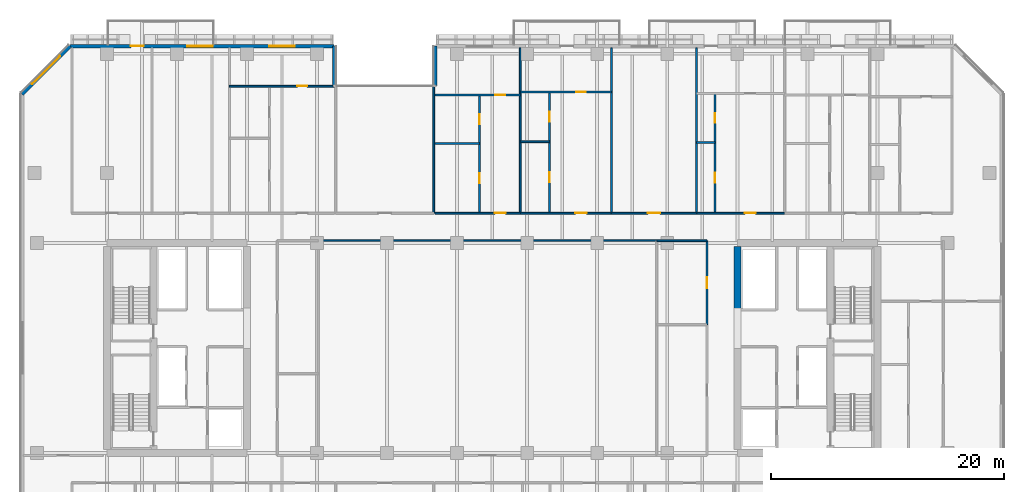
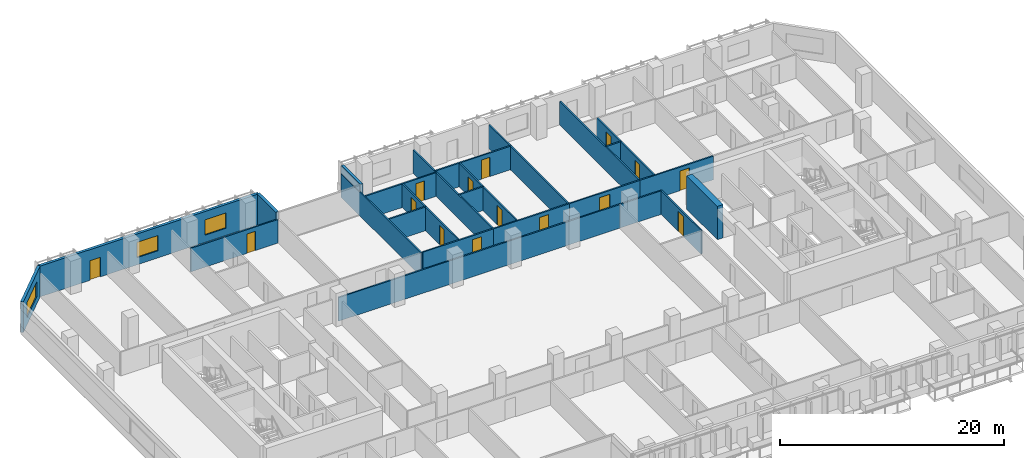
# One storey, part 13 of 25: 25 walls, 15 doors, 3 windows, 18 openings.
"""IFC4 building model written with IfcOpenShell, lengths in metres."""

from ifc_helpers import new_model, si_unit, direction, frame, frame_2d, origin, place, context, subcontext, project, spatial, rectangle, extrude, material, layer, layer_set, type_object, element, fill, save


model = new_model("IFC4")

# Units and contexts
model_context = context("Model", 3, precision=1e-05, world=origin(), true_north=direction((0.0, 1.0)))
body_context = subcontext(model_context, "Body", "Model", "MODEL_VIEW")
ifc_project = project(units=[si_unit("LENGTHUNIT", "METRE"), si_unit("AREAUNIT", "SQUARE_METRE"), si_unit("VOLUMEUNIT", "CUBIC_METRE"), si_unit("PLANEANGLEUNIT", "RADIAN"), si_unit("MASSUNIT", "GRAM", prefix="KILO")], contexts=[model_context])

# Site, building, storey
site_placement = place(None, origin())
site = spatial("IfcSite", under=ifc_project, at=site_placement, CompositionType="ELEMENT")
building_placement = place(site_placement, origin())
building = spatial("IfcBuilding", under=site, at=building_placement, Name="Tanjung Sevakor Pilgrim Tower", CompositionType="ELEMENT")
storey_placement = place(building_placement, frame((0.0, 0.0, 69.6298828125)))
storey = spatial("IfcBuildingStorey", under=building, at=storey_placement, Name="L19", CompositionType="ELEMENT", Elevation=69.6298828125)

# Walls
ifc_material_1 = material(Name="Concrete C60/75", Category="concrete")
ifc_layer_1 = layer(ifc_material_1, 0.60009765625)
ifc_layer_set_1 = layer_set([ifc_layer_1], Name="WALL-CW-600")
wall_type_1 = type_object("IfcWallType", Name="WALL-CW-600", PredefinedType="SHEAR", material=ifc_layer_set_1)
wall_1_placement = place(storey_placement, frame((78.0, 36.800048828125, 0.0), z_axis=(0.0, 0.0, 1.0), x_axis=(0.0, 1.0, 0.0)))
element("IfcWall", 1, at=wall_1_placement, inside=storey, type_object=wall_type_1, Name="L19 E Core Inner Shear Wall North", PredefinedType="SHEAR", context=body_context, shape_type="SweptSolid", body=[
    extrude(rectangle(XDim=5.5, YDim=0.60009765625, at=frame_2d((2.75, 0.0))), origin(), (0.0, 0.0, 1.0), 3.630126953125),
])
ifc_material_2 = material(Name="Concrete C40/50", Category="concrete")
ifc_layer_2 = layer(ifc_material_2, 0.14990234375)
ifc_layer_set_2 = layer_set([ifc_layer_2], Name="WT-COMP-150")
wall_type_2 = type_object("IfcWallType", Name="WT-COMP-150", PredefinedType="SOLIDWALL", material=ifc_layer_set_2)
wall_2_placement = place(storey_placement, frame((42.10009765625, 42.800048828125, 0.0), z_axis=(0.0, 0.0, 1.0), x_axis=(1.0, 0.0, 0.0)))
element("IfcWall", 2, at=wall_2_placement, inside=storey, type_object=wall_type_2, Name="L19 Partition IW-L19-027", PredefinedType="SOLIDWALL", context=body_context, shape_type="SweptSolid", body=[
    extrude(rectangle(XDim=29.0, YDim=0.14990234375, at=frame_2d((14.5, 0.0))), origin(), (0.0, 0.0, 1.0), 2.565185546875),
])
wall_3_placement = place(storey_placement, frame((71.10009765625, 42.800048828125, 0.0), z_axis=(0.0, 0.0, 1.0), x_axis=(1.0, 0.0, 0.0)))
element("IfcWall", 3, at=wall_3_placement, inside=storey, type_object=wall_type_2, Name="L19 Partition IW-L19-033", PredefinedType="SOLIDWALL", context=body_context, shape_type="SweptSolid", body=[
    extrude(rectangle(XDim=4.2998046875, YDim=0.14990234375, at=frame_2d((2.14990234375, 0.0))), origin(), (0.0, 0.0, 1.0), 2.565185546875),
])

# Wall, opening, door
wall_4_placement = place(storey_placement, frame((75.39990234375, 35.60009765625, 0.0), z_axis=(0.0, 0.0, 1.0), x_axis=(0.0, 1.0, 0.0)))
wall_4 = element("IfcWall", 4, at=wall_4_placement, inside=storey, type_object=wall_type_2, Name="L19 Partition IW-L19-034", PredefinedType="SOLIDWALL", context=body_context, shape_type="SweptSolid", body=[
    extrude(rectangle(XDim=7.199951171875, YDim=0.14990234375, at=frame_2d((3.60009765625, 0.0))), origin(), (0.0, 0.0, 1.0), 2.570068359375),
])
opening_1_placement = place(wall_4_placement, frame((3.125, 0.0, 0.0)))
opening_1 = element("IfcOpeningElement", 5, at=opening_1_placement, cuts=wall_4, Name="Opening ID-RM1", PredefinedType="OPENING", context=body_context, shape_type="SweptSolid", body=[
    extrude(rectangle(XDim=0.949951171875, YDim=2.14990234375, at=frame_2d((0.47509765625, 1.074951171875))), frame((0.0, 0.0849609375, 0.0), z_axis=(0.0, -1.0, 0.0), x_axis=(1.0, 0.0, 0.0)), (0.0, 0.0, 1.0), 0.169921875),
])
ifc_material_3 = material(Name="Hardwood Timber", Category="wood")
door_type_1 = type_object("IfcDoorType", Name="DT-INT-950", OperationType="NOTDEFINED", PredefinedType="DOOR", material=ifc_material_3)
door_1_placement = place(opening_1_placement, origin())
door_1 = element("IfcDoor", 6, at=door_1_placement, inside=storey, type_object=door_type_1, Name="L19 Female Washroom Door", OperationType="SINGLE_SWING_RIGHT", OverallHeight=2.14990234375, OverallWidth=0.949951171875, PredefinedType="DOOR", context=body_context, shape_type="SweptSolid", body=[
    extrude(rectangle(XDim=0.949951171875, YDim=2.14990234375, at=frame_2d((0.47509765625, 1.074951171875))), frame((0.0, 0.02490234375, 0.0), z_axis=(0.0, -1.0, 0.0), x_axis=(1.0, 0.0, 0.0)), (0.0, 0.0, 1.0), 0.050048828125),
])
fill(opening_1, door_1)

# Walls
for number, where, z_axis, x_axis, name in (
    (7, (52.0, 45.14990234375, 0.0), (0.0, 0.0, 1.0), (0.0, 1.0, 0.0), "L19 Partition IW-L19-047"),
    (8, (59.416015625, 45.14990234375, 0.0), (0.0, 0.0, 1.0), (0.0, 1.0, 0.0), "L19 Partition IW-L19-088"),
):
    element("IfcWall", number, at=place(storey_placement, frame(where, z_axis=z_axis, x_axis=x_axis)), inside=storey, type_object=wall_type_2, Name=name, PredefinedType="SOLIDWALL", context=body_context, shape_type="SweptSolid", body=[
        extrude(rectangle(XDim=14.170166015625, YDim=0.14990234375, at=frame_2d((7.0849609375, 0.0))), origin(), (0.0, 0.0, 1.0), 2.570068359375),
    ])

# Wall, opening, door
wall_5_placement = place(storey_placement, frame((52.1201171875, 45.14990234375, 0.0), z_axis=(0.0, 0.0, 1.0), x_axis=(1.0, 0.0, 0.0)))
wall_5 = element("IfcWall", 9, at=wall_5_placement, inside=storey, type_object=wall_type_2, Name="L19 Partition IW-L19-092", PredefinedType="SOLIDWALL", context=body_context, shape_type="SweptSolid", body=[
    extrude(rectangle(XDim=7.2958984375, YDim=0.14990234375, at=frame_2d((3.64794921875, 0.0))), origin(), (0.0, 0.0, 1.0), 2.570068359375),
])
opening_2_placement = place(wall_5_placement, frame((5.113037109375, 0.0, 0.0)))
opening_2 = element("IfcOpeningElement", 10, at=opening_2_placement, cuts=wall_5, Name="Opening ID-FD2", PredefinedType="OPENING", context=body_context, shape_type="SweptSolid", body=[
    extrude(rectangle(XDim=0.949951171875, YDim=2.14990234375, at=frame_2d((0.47509765625, 1.074951171875))), frame((0.0, 0.0849609375, 0.0), z_axis=(0.0, -1.0, 0.0), x_axis=(1.0, 0.0, 0.0)), (0.0, 0.0, 1.0), 0.169921875),
])
ifc_material_4 = material(Name="Fire-Rated Timber", Category="wood")
door_type_2 = type_object("IfcDoorType", Name="DT-FIRE-950", OperationType="NOTDEFINED", PredefinedType="DOOR", material=ifc_material_4)
door_2_placement = place(opening_2_placement, origin())
door_2 = element("IfcDoor", 11, at=door_2_placement, inside=storey, type_object=door_type_2, Name="Residence Entrance", OperationType="SINGLE_SWING_RIGHT", OverallHeight=2.14990234375, OverallWidth=0.949951171875, PredefinedType="DOOR", context=body_context, shape_type="SweptSolid", body=[
    extrude(rectangle(XDim=0.949951171875, YDim=2.14990234375, at=frame_2d((0.47509765625, 1.074951171875))), frame((0.0, 0.02490234375, 0.0), z_axis=(0.0, -1.0, 0.0), x_axis=(1.0, 0.0, 0.0)), (0.0, 0.0, 1.0), 0.050048828125),
])
fill(opening_2, door_2)

# Wall
wall_6_placement = place(storey_placement, frame((67.21533203125, 45.14990234375, 0.0), z_axis=(0.0, 0.0, 1.0), x_axis=(0.0, 1.0, 0.0)))
element("IfcWall", 12, at=wall_6_placement, inside=storey, type_object=wall_type_2, Name="L19 Partition IW-L19-093", PredefinedType="SOLIDWALL", context=body_context, shape_type="SweptSolid", body=[
    extrude(rectangle(XDim=14.170166015625, YDim=0.14990234375, at=frame_2d((7.0849609375, 0.0))), origin(), (0.0, 0.0, 1.0), 2.570068359375),
])

# Wall, opening, door
wall_7_placement = place(storey_placement, frame((59.416015625, 45.14990234375, 0.0), z_axis=(0.0, 0.0, 1.0), x_axis=(1.0, 0.0, 0.0)))
wall_7 = element("IfcWall", 13, at=wall_7_placement, inside=storey, type_object=wall_type_2, Name="L19 Partition IW-L19-097", PredefinedType="SOLIDWALL", context=body_context, shape_type="SweptSolid", body=[
    extrude(rectangle(XDim=7.79931640625, YDim=0.14990234375, at=frame_2d((3.899658203125, 0.0))), origin(), (0.0, 0.0, 1.0), 2.570068359375),
])
opening_3_placement = place(wall_7_placement, frame((4.716552734375, 0.0, 0.0)))
opening_3 = element("IfcOpeningElement", 14, at=opening_3_placement, cuts=wall_7, Name="Opening ID-FD2", PredefinedType="OPENING", context=body_context, shape_type="SweptSolid", body=[
    extrude(rectangle(XDim=0.949951171875, YDim=2.14990234375, at=frame_2d((0.47509765625, 1.074951171875))), frame((0.0, 0.0849609375, 0.0), z_axis=(0.0, -1.0, 0.0), x_axis=(1.0, 0.0, 0.0)), (0.0, 0.0, 1.0), 0.169921875),
])
door_3_placement = place(opening_3_placement, origin())
door_3 = element("IfcDoor", 15, at=door_3_placement, inside=storey, type_object=door_type_2, Name="Residence Entrance", OperationType="SINGLE_SWING_RIGHT", OverallHeight=2.14990234375, OverallWidth=0.949951171875, PredefinedType="DOOR", context=body_context, shape_type="SweptSolid", body=[
    extrude(rectangle(XDim=0.949951171875, YDim=2.14990234375, at=frame_2d((0.47509765625, 1.074951171875))), frame((0.0, 0.02490234375, 0.0), z_axis=(0.0, -1.0, 0.0), x_axis=(1.0, 0.0, 0.0)), (0.0, 0.0, 1.0), 0.050048828125),
])
fill(opening_3, door_3)

# Wall
wall_8_placement = place(storey_placement, frame((74.511474609375, 45.14990234375, 0.0), z_axis=(0.0, 0.0, 1.0), x_axis=(0.0, 1.0, 0.0)))
element("IfcWall", 16, at=wall_8_placement, inside=storey, type_object=wall_type_2, Name="L19 Partition IW-L19-098", PredefinedType="SOLIDWALL", context=body_context, shape_type="SweptSolid", body=[
    extrude(rectangle(XDim=14.170166015625, YDim=0.14990234375, at=frame_2d((7.0849609375, 0.0))), origin(), (0.0, 0.0, 1.0), 2.570068359375),
])

# Wall, opening, door
wall_9_placement = place(storey_placement, frame((67.21533203125, 45.14990234375, 0.0), z_axis=(0.0, 0.0, 1.0), x_axis=(1.0, 0.0, 0.0)))
wall_9 = element("IfcWall", 17, at=wall_9_placement, inside=storey, type_object=wall_type_2, Name="L19 Partition IW-L19-099", PredefinedType="SOLIDWALL", context=body_context, shape_type="SweptSolid", body=[
    extrude(rectangle(XDim=7.296142578125, YDim=0.14990234375, at=frame_2d((3.64794921875, 0.0))), origin(), (0.0, 0.0, 1.0), 2.570068359375),
])
opening_4_placement = place(wall_9_placement, frame((3.097900390625, 0.0, 0.0)))
opening_4 = element("IfcOpeningElement", 18, at=opening_4_placement, cuts=wall_9, Name="Opening ID-FD0", PredefinedType="OPENING", context=body_context, shape_type="SweptSolid", body=[
    extrude(rectangle(XDim=1.10009765625, YDim=2.14990234375, at=frame_2d((0.550048828125, 1.074951171875))), frame((0.0, 0.0849609375, 0.0), z_axis=(0.0, -1.0, 0.0), x_axis=(1.0, 0.0, 0.0)), (0.0, 0.0, 1.0), 0.169921875),
])
ifc_material_5 = material(Name="Fire-Rated Steel S355J2", Category="steel")
door_type_3 = type_object("IfcDoorType", Name="DT-FIRE-1100", OperationType="NOTDEFINED", PredefinedType="DOOR", material=ifc_material_5)
door_4_placement = place(opening_4_placement, origin())
door_4 = element("IfcDoor", 19, at=door_4_placement, inside=storey, type_object=door_type_3, Name="Communal Lounge Door", OperationType="SINGLE_SWING_LEFT", OverallHeight=2.14990234375, OverallWidth=1.10009765625, PredefinedType="DOOR", context=body_context, shape_type="SweptSolid", body=[
    extrude(rectangle(XDim=1.10009765625, YDim=2.14990234375, at=frame_2d((0.550048828125, 1.074951171875))), frame((0.0, 0.02490234375, 0.0), z_axis=(0.0, -1.0, 0.0), x_axis=(1.0, 0.0, 0.0)), (0.0, 0.0, 1.0), 0.050048828125),
])
fill(opening_4, door_4)

wall_10_placement = place(storey_placement, frame((74.511474609375, 45.14990234375, 0.0), z_axis=(0.0, 0.0, 1.0), x_axis=(1.0, 0.0, 0.0)))
wall_10 = element("IfcWall", 20, at=wall_10_placement, inside=storey, type_object=wall_type_2, Name="L19 Partition IW-L19-104", PredefinedType="SOLIDWALL", context=body_context, shape_type="SweptSolid", body=[
    extrude(rectangle(XDim=7.547607421875, YDim=0.14990234375, at=frame_2d((3.77392578125, 0.0))), origin(), (0.0, 0.0, 1.0), 2.570068359375),
])
opening_5_placement = place(wall_10_placement, frame((4.123046875, 0.0, 0.0)))
opening_5 = element("IfcOpeningElement", 21, at=opening_5_placement, cuts=wall_10, Name="Opening ID-FD2", PredefinedType="OPENING", context=body_context, shape_type="SweptSolid", body=[
    extrude(rectangle(XDim=0.949951171875, YDim=2.14990234375, at=frame_2d((0.47509765625, 1.074951171875))), frame((0.0, 0.0849609375, 0.0), z_axis=(0.0, -1.0, 0.0), x_axis=(1.0, 0.0, 0.0)), (0.0, 0.0, 1.0), 0.169921875),
])
door_5_placement = place(opening_5_placement, origin())
door_5 = element("IfcDoor", 22, at=door_5_placement, inside=storey, type_object=door_type_2, Name="Residence Entrance", OperationType="SINGLE_SWING_LEFT", OverallHeight=2.14990234375, OverallWidth=0.949951171875, PredefinedType="DOOR", context=body_context, shape_type="SweptSolid", body=[
    extrude(rectangle(XDim=0.949951171875, YDim=2.14990234375, at=frame_2d((0.47509765625, 1.074951171875))), frame((0.0, 0.02490234375, 0.0), z_axis=(0.0, -1.0, 0.0), x_axis=(1.0, 0.0, 0.0)), (0.0, 0.0, 1.0), 0.050048828125),
])
fill(opening_5, door_5)

# Walls
ifc_material_6 = material(Name="Precast concrete C45/55", Category="concrete")
ifc_layer_3 = layer(ifc_material_6, 0.280029296875)
ifc_layer_set_3 = layer_set([ifc_layer_3], Name="WT-EW-STN2")
wall_type_3 = type_object("IfcWallType", Name="WT-EW-STN2", PredefinedType="SOLIDWALL", material=ifc_layer_set_3)
for number, where, z_axis, x_axis, name in (
    (23, (52.139892578125, 59.4599609375, 0.0), (0.0, 0.0, 1.0), (0.0, -1.0, 0.0), "L19 MAIN Exterior Wall 10"),
    (24, (43.4599609375, 56.06005859375, 0.0), (0.0, 0.0, 1.0), (0.0, 1.0, 0.0), "L19 MAIN Exterior Wall 12"),
):
    element("IfcWall", number, at=place(storey_placement, frame(where, z_axis=z_axis, x_axis=x_axis)), inside=storey, type_object=wall_type_3, Name=name, PredefinedType="SOLIDWALL", context=body_context, shape_type="SweptSolid", body=[
        extrude(rectangle(XDim=3.39990234375, YDim=0.280029296875, at=frame_2d((1.699951171875, 0.0))), origin(), (0.0, 0.0, 1.0), 3.35009765625),
    ])

# Wall, openings, door, windows
wall_11_placement = place(storey_placement, frame((43.4599609375, 59.4599609375, 0.0), z_axis=(0.0, 0.0, 1.0), x_axis=(-1.0, 0.0, 0.0)))
wall_11 = element("IfcWall", 25, at=wall_11_placement, inside=storey, type_object=wall_type_3, Name="L19 MAIN Exterior Wall 13", PredefinedType="SOLIDWALL", context=body_context, shape_type="SweptSolid", body=[
    extrude(rectangle(XDim=22.60205078125, YDim=0.280029296875, at=frame_2d((11.301025390625, 0.0))), origin(), (0.0, 0.0, 1.0), 3.35009765625),
])
opening_6_placement = place(wall_11_placement, frame((16.31005859375, 0.0, 0.0)))
opening_6 = element("IfcOpeningElement", 26, at=opening_6_placement, cuts=wall_11, Name="Opening ED-BAL-1100", PredefinedType="OPENING", context=body_context, shape_type="SweptSolid", body=[
    extrude(rectangle(XDim=1.10009765625, YDim=2.14990234375, at=frame_2d((0.550048828125, 1.074951171875))), frame((0.0, 0.14990234375, 0.0), z_axis=(0.0, -1.0, 0.0), x_axis=(1.0, 0.0, 0.0)), (0.0, 0.0, 1.0), 0.300048828125),
])
opening_7_placement = place(wall_11_placement, frame((10.378173828125, 0.0, 0.780029296875)))
opening_7 = element("IfcOpeningElement", 27, at=opening_7_placement, cuts=wall_11, Name="Opening WN-Z1-1660", PredefinedType="OPENING", context=body_context, shape_type="SweptSolid", body=[
    extrude(rectangle(XDim=2.199951171875, YDim=1.659912109375, at=frame_2d((1.10009765625, 0.830078125))), frame((0.0, 0.14990234375, 0.0), z_axis=(0.0, -1.0, 0.0), x_axis=(1.0, 0.0, 0.0)), (0.0, 0.0, 1.0), 0.300048828125),
])
opening_8_placement = place(wall_11_placement, frame((3.370361328125, 0.0, 0.780029296875)))
opening_8 = element("IfcOpeningElement", 28, at=opening_8_placement, cuts=wall_11, Name="Opening WN-Z1-1660", PredefinedType="OPENING", context=body_context, shape_type="SweptSolid", body=[
    extrude(rectangle(XDim=2.199951171875, YDim=1.659912109375, at=frame_2d((1.10009765625, 0.830078125))), frame((0.0, 0.14990234375, 0.0), z_axis=(0.0, -1.0, 0.0), x_axis=(1.0, 0.0, 0.0)), (0.0, 0.0, 1.0), 0.300048828125),
])
ifc_material_7 = material(Name="Anodised Aluminium and Laminated Glass", Category="aluminium")
door_type_4 = type_object("IfcDoorType", Name="DTYP-ED-BAL-1100", OperationType="NOTDEFINED", PredefinedType="DOOR", material=ifc_material_7)
door_6_placement = place(opening_6_placement, frame((1.10009765625, 0.0, 0.0), z_axis=(0.0, 0.0, 1.0), x_axis=(-1.0, 0.0, 0.0)))
door_6 = element("IfcDoor", 29, at=door_6_placement, inside=storey, type_object=door_type_4, Name="L19 Balcony Door MAIN-N1", OperationType="SINGLE_SWING_LEFT", OverallHeight=2.14990234375, OverallWidth=1.10009765625, PredefinedType="DOOR", context=body_context, shape_type="SweptSolid", body=[
    extrude(rectangle(XDim=1.10009765625, YDim=2.14990234375, at=frame_2d((0.550048828125, 1.074951171875))), frame((0.0, 0.02490234375, 0.0), z_axis=(0.0, -1.0, 0.0), x_axis=(1.0, 0.0, 0.0)), (0.0, 0.0, 1.0), 0.050048828125),
])
fill(opening_6, door_6)
ifc_material_8 = material(Name="Thermally Broken Aluminium and Low-E Glass", Category="aluminium")
window_type_1 = type_object("IfcWindowType", Name="WTYP-WN-Z1-1660", PartitioningType="DOUBLE_PANEL_VERTICAL", PredefinedType="WINDOW", material=ifc_material_8)
window_1_placement = place(opening_7_placement, origin())
window_1 = element("IfcWindow", 30, at=window_1_placement, inside=storey, type_object=window_type_1, Name="L19 Facade Window 01", OverallHeight=1.659912109375, OverallWidth=2.199951171875, PartitioningType="SINGLE_PANEL", PredefinedType="WINDOW", context=body_context, shape_type="SweptSolid", body=[
    extrude(rectangle(XDim=2.199951171875, YDim=1.659912109375, at=frame_2d((1.10009765625, 0.830078125))), frame((0.0, 0.030029296875, 0.0), z_axis=(0.0, -1.0, 0.0), x_axis=(1.0, 0.0, 0.0)), (0.0, 0.0, 1.0), 0.06005859375),
])
fill(opening_7, window_1)
window_2_placement = place(opening_8_placement, origin())
window_2 = element("IfcWindow", 31, at=window_2_placement, inside=storey, type_object=window_type_1, Name="L19 Facade Window 02", OverallHeight=1.659912109375, OverallWidth=2.199951171875, PartitioningType="SINGLE_PANEL", PredefinedType="WINDOW", context=body_context, shape_type="SweptSolid", body=[
    extrude(rectangle(XDim=2.199951171875, YDim=1.659912109375, at=frame_2d((1.10009765625, 0.830078125))), frame((0.0, 0.030029296875, 0.0), z_axis=(0.0, -1.0, 0.0), x_axis=(1.0, 0.0, 0.0)), (0.0, 0.0, 1.0), 0.06005859375),
])
fill(opening_8, window_2)

# Wall, opening, window
wall_12_placement = place(storey_placement, frame((20.85791015625, 59.4599609375, 0.0), z_axis=(0.0, 0.0, 1.0), x_axis=(-0.707106781187, -0.707106781187, 0.0)))
wall_12 = element("IfcWall", 32, at=wall_12_placement, inside=storey, type_object=wall_type_3, Name="L19 MAIN Sculpted Corner Wall 13", PredefinedType="SOLIDWALL", context=body_context, shape_type="SweptSolid", body=[
    extrude(rectangle(XDim=5.82373046875, YDim=0.280029296875, at=frame_2d((2.911865234375, 0.0))), origin(), (0.0, 0.0, 1.0), 3.35009765625),
])
opening_9_placement = place(wall_12_placement, frame((1.2119140625, 0.0, 0.780029296875)))
opening_9 = element("IfcOpeningElement", 33, at=opening_9_placement, cuts=wall_12, Name="Opening WN-CHM-1660", PredefinedType="OPENING", context=body_context, shape_type="SweptSolid", body=[
    extrude(rectangle(XDim=3.39990234375, YDim=1.659912109375, at=frame_2d((1.699951171875, 0.830078125))), frame((0.0, 0.14990234375, 0.0), z_axis=(0.0, -1.0, 0.0), x_axis=(1.0, 0.0, 0.0)), (0.0, 0.0, 1.0), 0.300048828125),
])
ifc_material_9 = material(Name="Thermally Broken Aluminium and Low-E Glass", Category="aluminium")
window_type_2 = type_object("IfcWindowType", Name="WTYP-WN-CHM-1660", PartitioningType="DOUBLE_PANEL_VERTICAL", PredefinedType="WINDOW", material=ifc_material_9)
window_3_placement = place(opening_9_placement, origin())
window_3 = element("IfcWindow", 34, at=window_3_placement, inside=storey, type_object=window_type_2, Name="L19 Facade Window 01", OverallHeight=1.659912109375, OverallWidth=3.39990234375, PartitioningType="SINGLE_PANEL", PredefinedType="WINDOW", context=body_context, shape_type="SweptSolid", body=[
    extrude(rectangle(XDim=3.39990234375, YDim=1.659912109375, at=frame_2d((1.699951171875, 0.830078125))), frame((0.0, 0.030029296875, 0.0), z_axis=(0.0, -1.0, 0.0), x_axis=(1.0, 0.0, 0.0)), (0.0, 0.0, 1.0), 0.06005859375),
])
fill(opening_9, window_3)

# Wall, opening, door
ifc_material_10 = material(Name="Gypsum Board Partition", Category="gypsum board")
ifc_layer_4 = layer(ifc_material_10, 0.14990234375)
ifc_layer_set_4 = layer_set([ifc_layer_4], Name="WT-PART-150")
wall_type_4 = type_object("IfcWallType", Name="WT-PART-150", PredefinedType="PARTITIONING", material=ifc_layer_set_4)
wall_13_placement = place(storey_placement, frame((34.49951171875, 56.03515625, 0.0), z_axis=(0.0, 0.0, 1.0), x_axis=(1.0, 0.0, 0.0)))
wall_13 = element("IfcWall", 35, at=wall_13_placement, inside=storey, type_object=wall_type_4, Name="L19 Partition IW-L19-085", PredefinedType="PARTITIONING", context=body_context, shape_type="SweptSolid", body=[
    extrude(rectangle(XDim=8.98046875, YDim=0.14990234375, at=frame_2d((4.490234375, 0.0))), origin(), (0.0, 0.0, 1.0), 2.570068359375),
])
opening_10_placement = place(wall_13_placement, frame((5.815673828125, 0.0, 0.0)))
opening_10 = element("IfcOpeningElement", 36, at=opening_10_placement, cuts=wall_13, Name="Opening ID-WC1", PredefinedType="OPENING", context=body_context, shape_type="SweptSolid", body=[
    extrude(rectangle(XDim=0.85009765625, YDim=2.10009765625, at=frame_2d((0.425048828125, 1.050048828125))), frame((0.0, 0.0849609375, 0.0), z_axis=(0.0, -1.0, 0.0), x_axis=(1.0, 0.0, 0.0)), (0.0, 0.0, 1.0), 0.169921875),
])
ifc_material_11 = material(Name="Moisture-Resistant Timber", Category="wood")
door_type_5 = type_object("IfcDoorType", Name="DT-INT-850", OperationType="NOTDEFINED", PredefinedType="DOOR", material=ifc_material_11)
door_7_placement = place(opening_10_placement, origin())
door_7 = element("IfcDoor", 37, at=door_7_placement, inside=storey, type_object=door_type_5, Name="Residence Bedroom Door", OperationType="SINGLE_SWING_LEFT", OverallHeight=2.10009765625, OverallWidth=0.85009765625, PredefinedType="DOOR", context=body_context, shape_type="SweptSolid", body=[
    extrude(rectangle(XDim=0.85009765625, YDim=2.10009765625, at=frame_2d((0.425048828125, 1.050048828125))), frame((0.0, 0.02490234375, 0.0), z_axis=(0.0, -1.0, 0.0), x_axis=(1.0, 0.0, 0.0)), (0.0, 0.0, 1.0), 0.050048828125),
])
fill(opening_10, door_7)

# Wall
wall_14_placement = place(storey_placement, frame((52.1201171875, 51.124755859375, 0.0), z_axis=(0.0, 0.0, 1.0), x_axis=(1.0, 0.0, 0.0)))
element("IfcWall", 38, at=wall_14_placement, inside=storey, type_object=wall_type_4, Name="L19 Partition IW-L19-089", PredefinedType="PARTITIONING", context=body_context, shape_type="SweptSolid", body=[
    extrude(rectangle(XDim=3.7998046875, YDim=0.14990234375, at=frame_2d((1.89990234375, 0.0))), origin(), (0.0, 0.0, 1.0), 2.570068359375),
])

# Wall, openings, doors
wall_15_placement = place(storey_placement, frame((55.919921875, 45.14990234375, 0.0), z_axis=(0.0, 0.0, 1.0), x_axis=(0.0, 1.0, 0.0)))
wall_15 = element("IfcWall", 39, at=wall_15_placement, inside=storey, type_object=wall_type_4, Name="L19 Partition IW-L19-090", PredefinedType="PARTITIONING", context=body_context, shape_type="SweptSolid", body=[
    extrude(rectangle(XDim=10.126708984375, YDim=0.14990234375, at=frame_2d((5.0634765625, 0.0))), origin(), (0.0, 0.0, 1.0), 2.570068359375),
])
opening_11_placement = place(wall_15_placement, frame((2.5625, 0.0, 0.0)))
opening_11 = element("IfcOpeningElement", 40, at=opening_11_placement, cuts=wall_15, Name="Opening ID-WC1", PredefinedType="OPENING", context=body_context, shape_type="SweptSolid", body=[
    extrude(rectangle(XDim=0.85009765625, YDim=2.10009765625, at=frame_2d((0.425048828125, 1.050048828125))), frame((0.0, 0.0849609375, 0.0), z_axis=(0.0, -1.0, 0.0), x_axis=(1.0, 0.0, 0.0)), (0.0, 0.0, 1.0), 0.169921875),
])
opening_12_placement = place(wall_15_placement, frame((7.625732421875, 0.0, 0.0)))
opening_12 = element("IfcOpeningElement", 41, at=opening_12_placement, cuts=wall_15, Name="Opening ID-WC1", PredefinedType="OPENING", context=body_context, shape_type="SweptSolid", body=[
    extrude(rectangle(XDim=0.85009765625, YDim=2.10009765625, at=frame_2d((0.425048828125, 1.050048828125))), frame((0.0, 0.0849609375, 0.0), z_axis=(0.0, -1.0, 0.0), x_axis=(1.0, 0.0, 0.0)), (0.0, 0.0, 1.0), 0.169921875),
])
door_8_placement = place(opening_11_placement, origin())
door_8 = element("IfcDoor", 42, at=door_8_placement, inside=storey, type_object=door_type_5, Name="Residence Kitchenette Door", OperationType="SINGLE_SWING_LEFT", OverallHeight=2.10009765625, OverallWidth=0.85009765625, PredefinedType="DOOR", context=body_context, shape_type="SweptSolid", body=[
    extrude(rectangle(XDim=0.85009765625, YDim=2.10009765625, at=frame_2d((0.425048828125, 1.050048828125))), frame((0.0, 0.02490234375, 0.0), z_axis=(0.0, -1.0, 0.0), x_axis=(1.0, 0.0, 0.0)), (0.0, 0.0, 1.0), 0.050048828125),
])
fill(opening_11, door_8)
door_9_placement = place(opening_12_placement, origin())
door_9 = element("IfcDoor", 43, at=door_9_placement, inside=storey, type_object=door_type_5, Name="Residence Bathroom Door", OperationType="SINGLE_SWING_RIGHT", OverallHeight=2.10009765625, OverallWidth=0.85009765625, PredefinedType="DOOR", context=body_context, shape_type="SweptSolid", body=[
    extrude(rectangle(XDim=0.85009765625, YDim=2.10009765625, at=frame_2d((0.425048828125, 1.050048828125))), frame((0.0, 0.02490234375, 0.0), z_axis=(0.0, -1.0, 0.0), x_axis=(1.0, 0.0, 0.0)), (0.0, 0.0, 1.0), 0.050048828125),
])
fill(opening_12, door_9)

# Wall, opening, door
wall_16_placement = place(storey_placement, frame((52.1201171875, 55.276611328125, 0.0), z_axis=(0.0, 0.0, 1.0), x_axis=(1.0, 0.0, 0.0)))
wall_16 = element("IfcWall", 44, at=wall_16_placement, inside=storey, type_object=wall_type_4, Name="L19 Partition IW-L19-091", PredefinedType="PARTITIONING", context=body_context, shape_type="SweptSolid", body=[
    extrude(rectangle(XDim=7.2958984375, YDim=0.14990234375, at=frame_2d((3.64794921875, 0.0))), origin(), (0.0, 0.0, 1.0), 2.570068359375),
])
opening_13_placement = place(wall_16_placement, frame((5.1630859375, 0.0, 0.0)))
opening_13 = element("IfcOpeningElement", 45, at=opening_13_placement, cuts=wall_16, Name="Opening ID-WC1", PredefinedType="OPENING", context=body_context, shape_type="SweptSolid", body=[
    extrude(rectangle(XDim=0.85009765625, YDim=2.10009765625, at=frame_2d((0.425048828125, 1.050048828125))), frame((0.0, 0.0849609375, 0.0), z_axis=(0.0, -1.0, 0.0), x_axis=(1.0, 0.0, 0.0)), (0.0, 0.0, 1.0), 0.169921875),
])
door_10_placement = place(opening_13_placement, origin())
door_10 = element("IfcDoor", 46, at=door_10_placement, inside=storey, type_object=door_type_5, Name="Residence Bedroom Door", OperationType="SINGLE_SWING_LEFT", OverallHeight=2.10009765625, OverallWidth=0.85009765625, PredefinedType="DOOR", context=body_context, shape_type="SweptSolid", body=[
    extrude(rectangle(XDim=0.85009765625, YDim=2.10009765625, at=frame_2d((0.425048828125, 1.050048828125))), frame((0.0, 0.02490234375, 0.0), z_axis=(0.0, -1.0, 0.0), x_axis=(1.0, 0.0, 0.0)), (0.0, 0.0, 1.0), 0.050048828125),
])
fill(opening_13, door_10)

# Wall
wall_17_placement = place(storey_placement, frame((59.416015625, 51.27880859375, 0.0), z_axis=(0.0, 0.0, 1.0), x_axis=(1.0, 0.0, 0.0)))
element("IfcWall", 47, at=wall_17_placement, inside=storey, type_object=wall_type_4, Name="L19 Partition IW-L19-094", PredefinedType="PARTITIONING", context=body_context, shape_type="SweptSolid", body=[
    extrude(rectangle(XDim=2.50390625, YDim=0.14990234375, at=frame_2d((1.251953125, 0.0))), origin(), (0.0, 0.0, 1.0), 2.570068359375),
])

# Wall, openings, doors
wall_18_placement = place(storey_placement, frame((61.919921875, 45.14990234375, 0.0), z_axis=(0.0, 0.0, 1.0), x_axis=(0.0, 1.0, 0.0)))
wall_18 = element("IfcWall", 48, at=wall_18_placement, inside=storey, type_object=wall_type_4, Name="L19 Partition IW-L19-095", PredefinedType="PARTITIONING", context=body_context, shape_type="SweptSolid", body=[
    extrude(rectangle(XDim=10.3876953125, YDim=0.14990234375, at=frame_2d((5.19384765625, 0.0))), origin(), (0.0, 0.0, 1.0), 2.570068359375),
])
opening_14_placement = place(wall_18_placement, frame((2.639404296875, 0.0, 0.0)))
opening_14 = element("IfcOpeningElement", 49, at=opening_14_placement, cuts=wall_18, Name="Opening ID-WC1", PredefinedType="OPENING", context=body_context, shape_type="SweptSolid", body=[
    extrude(rectangle(XDim=0.85009765625, YDim=2.10009765625, at=frame_2d((0.425048828125, 1.050048828125))), frame((0.0, 0.0849609375, 0.0), z_axis=(0.0, -1.0, 0.0), x_axis=(1.0, 0.0, 0.0)), (0.0, 0.0, 1.0), 0.169921875),
])
opening_15_placement = place(wall_18_placement, frame((7.833251953125, 0.0, 0.0)))
opening_15 = element("IfcOpeningElement", 50, at=opening_15_placement, cuts=wall_18, Name="Opening ID-WC1", PredefinedType="OPENING", context=body_context, shape_type="SweptSolid", body=[
    extrude(rectangle(XDim=0.85009765625, YDim=2.10009765625, at=frame_2d((0.425048828125, 1.050048828125))), frame((0.0, 0.0849609375, 0.0), z_axis=(0.0, -1.0, 0.0), x_axis=(1.0, 0.0, 0.0)), (0.0, 0.0, 1.0), 0.169921875),
])
door_11_placement = place(opening_14_placement, origin())
door_11 = element("IfcDoor", 51, at=door_11_placement, inside=storey, type_object=door_type_5, Name="Residence Kitchenette Door", OperationType="SINGLE_SWING_LEFT", OverallHeight=2.10009765625, OverallWidth=0.85009765625, PredefinedType="DOOR", context=body_context, shape_type="SweptSolid", body=[
    extrude(rectangle(XDim=0.85009765625, YDim=2.10009765625, at=frame_2d((0.425048828125, 1.050048828125))), frame((0.0, 0.02490234375, 0.0), z_axis=(0.0, -1.0, 0.0), x_axis=(1.0, 0.0, 0.0)), (0.0, 0.0, 1.0), 0.050048828125),
])
fill(opening_14, door_11)
door_12_placement = place(opening_15_placement, origin())
door_12 = element("IfcDoor", 52, at=door_12_placement, inside=storey, type_object=door_type_5, Name="Residence Bathroom Door", OperationType="SINGLE_SWING_RIGHT", OverallHeight=2.10009765625, OverallWidth=0.85009765625, PredefinedType="DOOR", context=body_context, shape_type="SweptSolid", body=[
    extrude(rectangle(XDim=0.85009765625, YDim=2.10009765625, at=frame_2d((0.425048828125, 1.050048828125))), frame((0.0, 0.02490234375, 0.0), z_axis=(0.0, -1.0, 0.0), x_axis=(1.0, 0.0, 0.0)), (0.0, 0.0, 1.0), 0.050048828125),
])
fill(opening_15, door_12)

# Wall, opening, door
wall_19_placement = place(storey_placement, frame((59.416015625, 55.53759765625, 0.0), z_axis=(0.0, 0.0, 1.0), x_axis=(1.0, 0.0, 0.0)))
wall_19 = element("IfcWall", 53, at=wall_19_placement, inside=storey, type_object=wall_type_4, Name="L19 Partition IW-L19-096", PredefinedType="PARTITIONING", context=body_context, shape_type="SweptSolid", body=[
    extrude(rectangle(XDim=7.79931640625, YDim=0.14990234375, at=frame_2d((3.899658203125, 0.0))), origin(), (0.0, 0.0, 1.0), 2.570068359375),
])
opening_16_placement = place(wall_19_placement, frame((4.7666015625, 0.0, 0.0)))
opening_16 = element("IfcOpeningElement", 54, at=opening_16_placement, cuts=wall_19, Name="Opening ID-WC1", PredefinedType="OPENING", context=body_context, shape_type="SweptSolid", body=[
    extrude(rectangle(XDim=0.85009765625, YDim=2.10009765625, at=frame_2d((0.425048828125, 1.050048828125))), frame((0.0, 0.0849609375, 0.0), z_axis=(0.0, -1.0, 0.0), x_axis=(1.0, 0.0, 0.0)), (0.0, 0.0, 1.0), 0.169921875),
])
door_13_placement = place(opening_16_placement, origin())
door_13 = element("IfcDoor", 55, at=door_13_placement, inside=storey, type_object=door_type_5, Name="Residence Bedroom Door", OperationType="SINGLE_SWING_LEFT", OverallHeight=2.10009765625, OverallWidth=0.85009765625, PredefinedType="DOOR", context=body_context, shape_type="SweptSolid", body=[
    extrude(rectangle(XDim=0.85009765625, YDim=2.10009765625, at=frame_2d((0.425048828125, 1.050048828125))), frame((0.0, 0.02490234375, 0.0), z_axis=(0.0, -1.0, 0.0), x_axis=(1.0, 0.0, 0.0)), (0.0, 0.0, 1.0), 0.050048828125),
])
fill(opening_16, door_13)

# Wall
wall_20_placement = place(storey_placement, frame((74.511474609375, 51.204345703125, 0.0), z_axis=(0.0, 0.0, 1.0), x_axis=(1.0, 0.0, 0.0)))
element("IfcWall", 56, at=wall_20_placement, inside=storey, type_object=wall_type_4, Name="L19 Partition IW-L19-101", PredefinedType="PARTITIONING", context=body_context, shape_type="SweptSolid", body=[
    extrude(rectangle(XDim=1.568603515625, YDim=0.14990234375, at=frame_2d((0.7841796875, 0.0))), origin(), (0.0, 0.0, 1.0), 2.570068359375),
])

# Wall, openings, doors
wall_21_placement = place(storey_placement, frame((76.080078125, 45.14990234375, 0.0), z_axis=(0.0, 0.0, 1.0), x_axis=(0.0, 1.0, 0.0)))
wall_21 = element("IfcWall", 57, at=wall_21_placement, inside=storey, type_object=wall_type_4, Name="L19 Partition IW-L19-102", PredefinedType="PARTITIONING", context=body_context, shape_type="SweptSolid", body=[
    extrude(rectangle(XDim=10.26171875, YDim=0.14990234375, at=frame_2d((5.130859375, 0.0))), origin(), (0.0, 0.0, 1.0), 2.570068359375),
])
opening_17_placement = place(wall_21_placement, frame((2.602294921875, 0.0, 0.0)))
opening_17 = element("IfcOpeningElement", 58, at=opening_17_placement, cuts=wall_21, Name="Opening ID-WC1", PredefinedType="OPENING", context=body_context, shape_type="SweptSolid", body=[
    extrude(rectangle(XDim=0.85009765625, YDim=2.10009765625, at=frame_2d((0.425048828125, 1.050048828125))), frame((0.0, 0.0849609375, 0.0), z_axis=(0.0, -1.0, 0.0), x_axis=(1.0, 0.0, 0.0)), (0.0, 0.0, 1.0), 0.169921875),
])
opening_18_placement = place(wall_21_placement, frame((7.73291015625, 0.0, 0.0)))
opening_18 = element("IfcOpeningElement", 59, at=opening_18_placement, cuts=wall_21, Name="Opening ID-WC1", PredefinedType="OPENING", context=body_context, shape_type="SweptSolid", body=[
    extrude(rectangle(XDim=0.85009765625, YDim=2.10009765625, at=frame_2d((0.425048828125, 1.050048828125))), frame((0.0, 0.0849609375, 0.0), z_axis=(0.0, -1.0, 0.0), x_axis=(1.0, 0.0, 0.0)), (0.0, 0.0, 1.0), 0.169921875),
])
door_14_placement = place(opening_17_placement, origin())
door_14 = element("IfcDoor", 60, at=door_14_placement, inside=storey, type_object=door_type_5, Name="Residence Kitchenette Door", OperationType="SINGLE_SWING_RIGHT", OverallHeight=2.10009765625, OverallWidth=0.85009765625, PredefinedType="DOOR", context=body_context, shape_type="SweptSolid", body=[
    extrude(rectangle(XDim=0.85009765625, YDim=2.10009765625, at=frame_2d((0.425048828125, 1.050048828125))), frame((0.0, 0.02490234375, 0.0), z_axis=(0.0, -1.0, 0.0), x_axis=(1.0, 0.0, 0.0)), (0.0, 0.0, 1.0), 0.050048828125),
])
fill(opening_17, door_14)
door_15_placement = place(opening_18_placement, origin())
door_15 = element("IfcDoor", 61, at=door_15_placement, inside=storey, type_object=door_type_5, Name="Residence Bathroom Door", OperationType="SINGLE_SWING_LEFT", OverallHeight=2.10009765625, OverallWidth=0.85009765625, PredefinedType="DOOR", context=body_context, shape_type="SweptSolid", body=[
    extrude(rectangle(XDim=0.85009765625, YDim=2.10009765625, at=frame_2d((0.425048828125, 1.050048828125))), frame((0.0, 0.02490234375, 0.0), z_axis=(0.0, -1.0, 0.0), x_axis=(1.0, 0.0, 0.0)), (0.0, 0.0, 1.0), 0.050048828125),
])
fill(opening_18, door_15)

save(model, "model.ifc")
